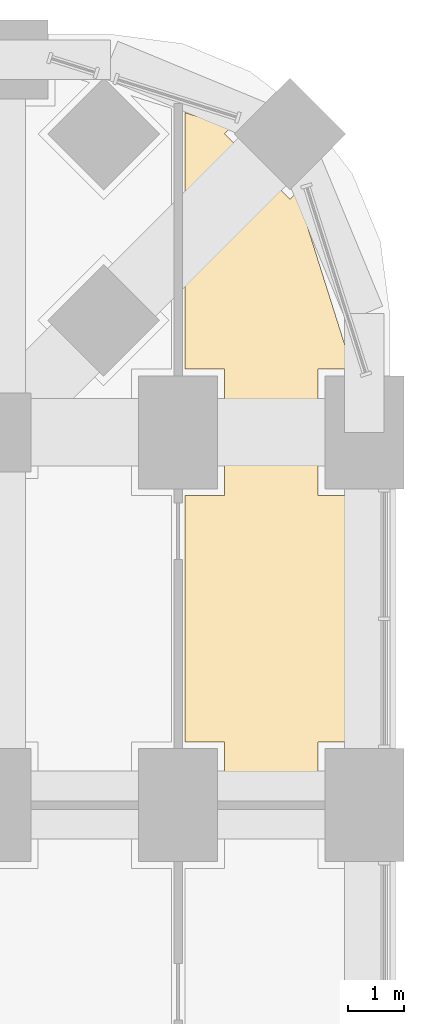
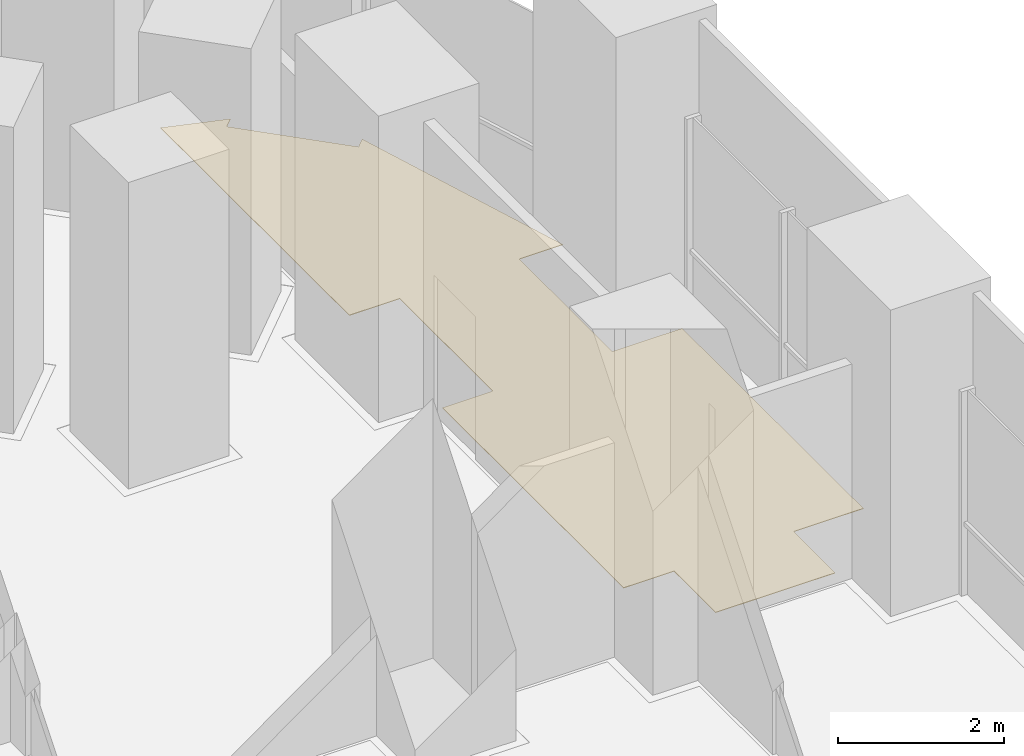
# One storey, part 17 of 17: 1 covering.
"""IFC4 building model written with IfcOpenShell, lengths in metres."""

from ifc_helpers import new_model, si_unit, direction, frame, origin, place, context, subcontext, project, spatial, polyline, outline, extrude, material, layer, layer_set, type_object, element, save


model = new_model("IFC4")

# Units and contexts
model_context = context("Model", 3, precision=1e-05, world=origin(), true_north=direction((0.0, 1.0)))
body_context = subcontext(model_context, "Body", "Model", "MODEL_VIEW")
ifc_project = project(units=[si_unit("LENGTHUNIT", "METRE"), si_unit("AREAUNIT", "SQUARE_METRE"), si_unit("VOLUMEUNIT", "CUBIC_METRE"), si_unit("PLANEANGLEUNIT", "RADIAN"), si_unit("MASSUNIT", "GRAM", prefix="KILO")], contexts=[model_context])

# Site, building, storey
site_placement = place(None, origin())
site = spatial("IfcSite", under=ifc_project, at=site_placement, CompositionType="ELEMENT")
building_placement = place(site_placement, origin())
building = spatial("IfcBuilding", under=site, at=building_placement, Name="Cobogo Forest Laboratory Tower", CompositionType="ELEMENT")
storey_placement = place(building_placement, frame((0.0, 0.0, 12.60009765625)))
storey = spatial("IfcBuildingStorey", under=building, at=storey_placement, Name="L02", CompositionType="ELEMENT", Elevation=12.60009765625)

# Covering
ifc_material = material(Name="Carpet tile on raised access floor", Category="flooring")
ifc_layer = layer(ifc_material, 0.008056640625)
ifc_layer_set = layer_set([ifc_layer], Name="CT1 carpet tile floor 8")
covering_type = type_object("IfcCoveringType", Name="CT1 carpet tile floor 8", PredefinedType="FLOORING", material=ifc_layer_set)
covering_placement = place(storey_placement, origin())
element("IfcCovering", 1, at=covering_placement, inside=storey, type_object=covering_type, Name="Carpet floor L02-14", PredefinedType="FLOORING", context=body_context, shape_type="SweptSolid", body=[
    extrude(outline(polyline([(49.6201171875, 38.47998046875), (50.320068359375, 38.47998046875), (50.320068359375, 40.719970703125), (49.6201171875, 40.719970703125), (49.6201171875, 45.26025390625), (50.441162109375, 45.0009765625), (50.322265625, 44.882080078125), (51.48193359375, 43.722412109375), (51.600830078125, 43.84130859375), (52.586669921875, 40.719970703125), (51.97998046875, 40.719970703125), (51.97998046875, 38.47998046875), (52.949951171875, 38.47998046875), (52.949951171875, 34.1201171875), (51.97998046875, 34.1201171875), (51.97998046875, 33.1201171875), (50.320068359375, 33.1201171875), (50.320068359375, 34.1201171875), (49.6201171875, 34.1201171875), (49.6201171875, 38.47998046875)])), origin(), (0.0, 0.0, 1.0), 0.0078125),
])

save(model, "model.ifc")
